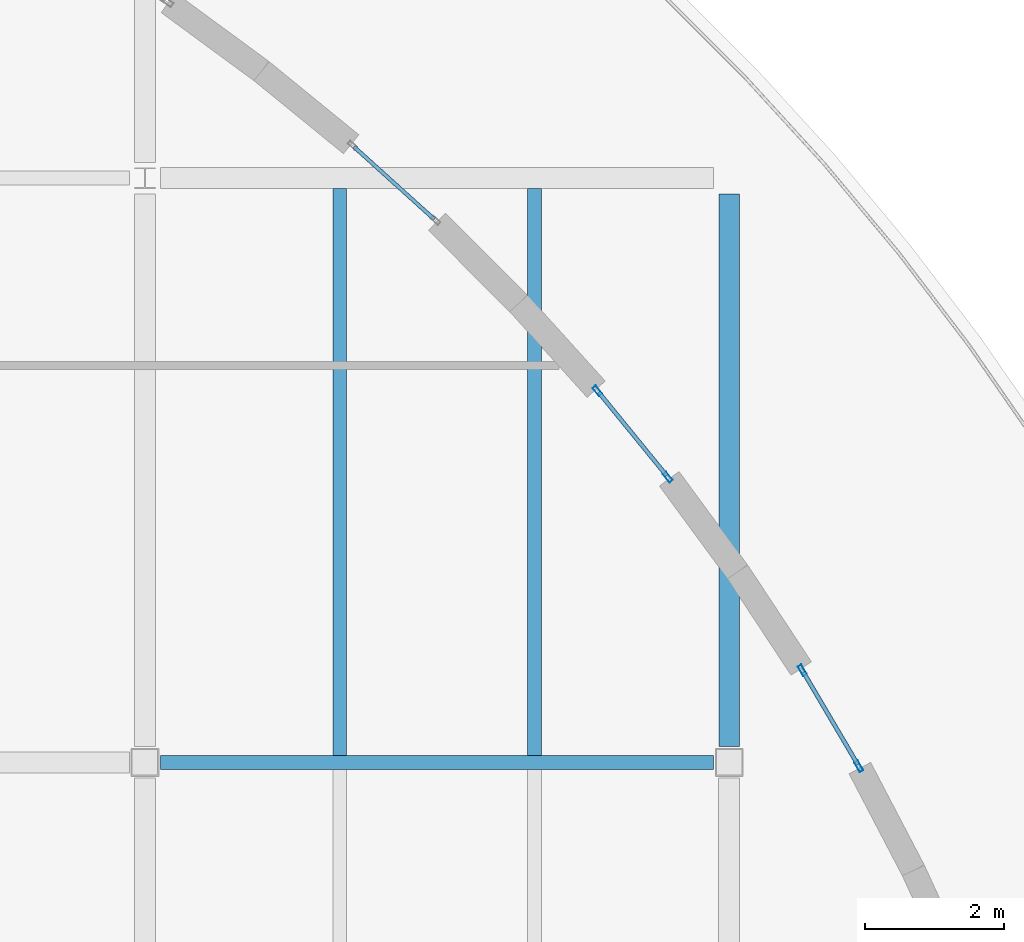
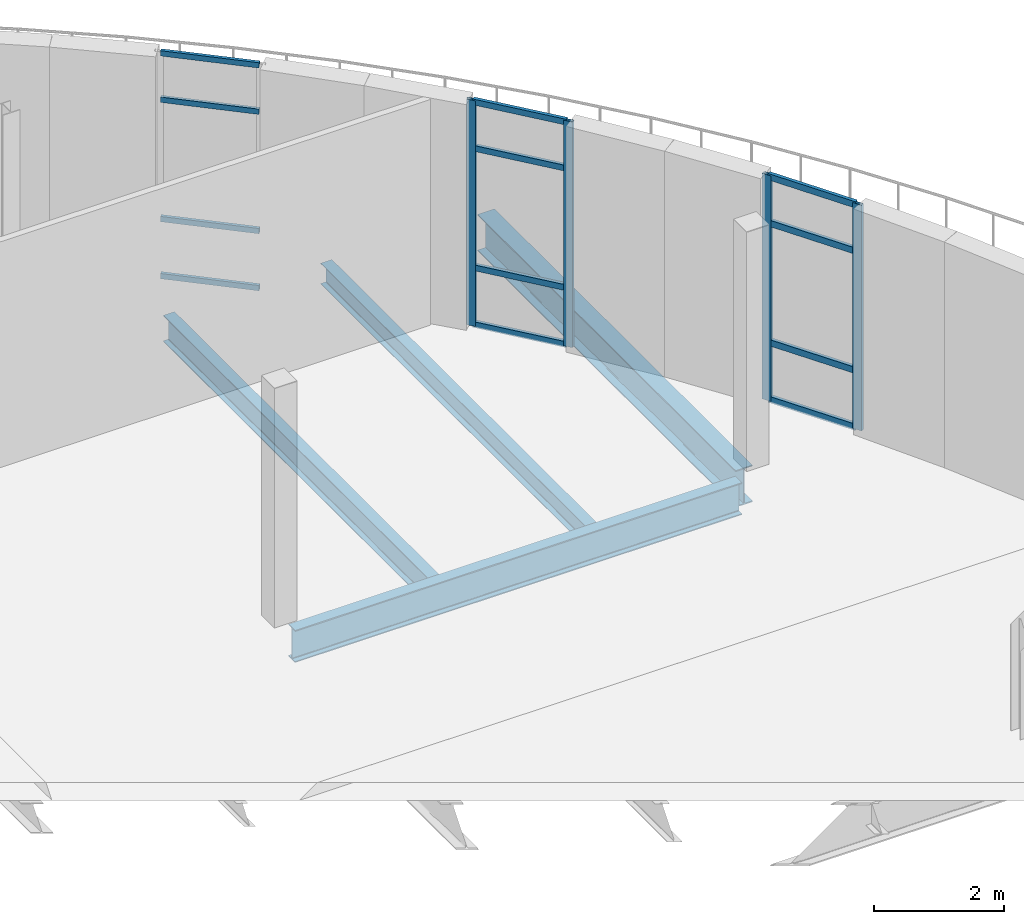
# One storey, part 16 of 40: 16 members, 4 beams, 3 elements without a shape of their own.
"""IFC4 building model written with IfcOpenShell, lengths in metres."""

from ifc_helpers import new_model, si_unit, direction, frame, origin, origin_2d, place, context, subcontext, project, spatial, hollow_rectangle, i_section, extrude, material, layer, layer_set, material_profile, profile_set, type_object, element, aggregate, save


model = new_model("IFC4")

# Units and contexts
model_context = context("Model", 3, precision=1e-05, world=origin(), true_north=direction((0.0, 1.0)))
body_context = subcontext(model_context, "Body", "Model", "MODEL_VIEW")
ifc_project = project(units=[si_unit("LENGTHUNIT", "METRE"), si_unit("AREAUNIT", "SQUARE_METRE"), si_unit("VOLUMEUNIT", "CUBIC_METRE"), si_unit("PLANEANGLEUNIT", "RADIAN"), si_unit("MASSUNIT", "GRAM", prefix="KILO"), si_unit("THERMODYNAMICTEMPERATUREUNIT", "KELVIN")], contexts=[model_context])

# Site, building, storey
site_placement = place(None, origin())
site = spatial("IfcSite", under=ifc_project, at=site_placement, CompositionType="ELEMENT")
building_placement = place(site_placement, origin())
building = spatial("IfcBuilding", under=site, at=building_placement, Name="Lustrewick Department Store", CompositionType="ELEMENT")
storey_placement = place(building_placement, frame((0.0, 0.0, 31.800048828125)))
storey = spatial("IfcBuildingStorey", under=building, at=storey_placement, Name="L07", CompositionType="ELEMENT", Elevation=31.800048828125)

# Beams
ifc_material_1 = material(Name="Structural steel Q355B", Category="steel")
ifc_material_profile_1 = material_profile(ifc_material_1, i_section(OverallWidth=0.198974609375, OverallDepth=0.49609375, WebThickness=0.009033203125, FlangeThickness=0.013916015625, FilletRadius=0.01611328125, at=origin_2d()), Name="HN 496x199x9x14")
ifc_profile_set_1 = profile_set([ifc_material_profile_1], Name="Structural steel Q355B")
beam_type_1 = type_object("IfcBeamType", Name="B02", PredefinedType="JOIST", material=ifc_profile_set_1)
beam_1_placement = place(storey_placement, frame((137.199951171875, 75.700439453125, -0.5029296875), z_axis=(0.0, 1.0, 0.0), x_axis=(-1.0, 0.0, 0.0)))
element("IfcBeam", 1, at=beam_1_placement, inside=storey, type_object=beam_type_1, Name="L07 V4 Secondary Joist B02", PredefinedType="JOIST", context=body_context, shape_type="SweptSolid", body=[
    extrude(i_section(OverallWidth=0.198974609375, OverallDepth=0.49609375, WebThickness=0.009033203125, FlangeThickness=0.013916015625, FilletRadius=0.01611328125, at=origin_2d()), origin(), (0.0, 0.0, 1.0), 8.148681640625),
])
ifc_material_profile_2 = material_profile(ifc_material_1, i_section(OverallWidth=0.198974609375, OverallDepth=0.39599609375, WebThickness=0.007080078125, FlangeThickness=0.010986328125, FilletRadius=0.013916015625, at=origin_2d()), Name="HN 396x199x7x11")
ifc_profile_set_2 = profile_set([ifc_material_profile_2], Name="Structural steel Q355B")
beam_type_2 = type_object("IfcBeamType", Name="B06", PredefinedType="JOIST", material=ifc_profile_set_2)
beam_2_placement = place(storey_placement, frame((140.0, 75.700439453125, -0.453125), z_axis=(0.0, 1.0, 0.0), x_axis=(-1.0, 0.0, 0.0)))
element("IfcBeam", 2, at=beam_2_placement, inside=storey, type_object=beam_type_2, Name="L07 V4 Secondary Joist B06", PredefinedType="JOIST", context=body_context, shape_type="SweptSolid", body=[
    extrude(i_section(OverallWidth=0.198974609375, OverallDepth=0.39599609375, WebThickness=0.007080078125, FlangeThickness=0.010986328125, FilletRadius=0.013916015625, at=origin_2d()), origin(), (0.0, 0.0, 1.0), 8.148681640625),
])

# Curtain wall, members
ifc_material_2 = material(Name="Thermally broken aluminium 6063-T5", Category="aluminium")
ifc_layer_1 = layer(ifc_material_2, 0.159912109375, Name="Thermally broken aluminium 6063-T5")
ifc_layer_set_1 = layer_set([ifc_layer_1], Name="Thermally broken aluminium 6063-T5")
curtain_wall_type_1 = type_object("IfcCurtainWallType", Name="CW13", PredefinedType="NOTDEFINED", material=ifc_layer_set_1)
curtain_wall_1_placement = place(storey_placement, origin())
curtain_wall_1 = element("IfcCurtainWall", 3, at=curtain_wall_1_placement, inside=storey, type_object=curtain_wall_type_1, Name="L07 V4 Curtain Wall CW13", PredefinedType="NOTDEFINED")
ifc_material_profile_3 = material_profile(ifc_material_2, hollow_rectangle(XDim=0.06005859375, YDim=0.159912109375, WallThickness=0.00390625, at=origin_2d()), Name="ALU-M 60x160x4")
ifc_profile_set_3 = profile_set([ifc_material_profile_3], Name="Thermally broken aluminium 6063-T5")
member_type_1 = type_object("IfcMemberType", Name="CW13-M1", PredefinedType="MULLION", material=ifc_profile_set_3)
member_1_placement = place(storey_placement, frame((144.663330078125, 75.543701171875, 0.0), z_axis=(0.0, 0.0, 1.0), x_axis=(-0.8617531739, -0.507327771045, 0.0)))
member_1 = element("IfcMember", 4, at=member_1_placement, type_object=member_type_1, Name="CW13 mullion 1", PredefinedType="MULLION", context=body_context, shape_type="SweptSolid", body=[
    extrude(hollow_rectangle(XDim=0.06005859375, YDim=0.159912109375, WallThickness=0.00390625, at=origin_2d()), origin(), (0.0, 0.0, 1.0), 4.244873046875),
])
member_2_placement = place(storey_placement, frame((143.850830078125, 76.924072265625, 0.0), z_axis=(0.0, 0.0, 1.0), x_axis=(-0.8617531739, -0.507327771045, 0.0)))
member_2 = element("IfcMember", 5, at=member_2_placement, type_object=member_type_1, Name="CW13 mullion 2", PredefinedType="MULLION", context=body_context, shape_type="SweptSolid", body=[
    extrude(hollow_rectangle(XDim=0.06005859375, YDim=0.159912109375, WallThickness=0.00390625, at=origin_2d()), origin(), (0.0, 0.0, 1.0), 4.244873046875),
])
ifc_material_profile_4 = material_profile(ifc_material_2, hollow_rectangle(XDim=0.06005859375, YDim=0.1201171875, WallThickness=0.00341796875, at=origin_2d()), Name="ALU-T 60x120x3.5")
ifc_profile_set_4 = profile_set([ifc_material_profile_4], Name="Thermally broken aluminium 6063-T5")
member_type_2 = type_object("IfcMemberType", Name="CW13-T1", PredefinedType="USERDEFINED", material=ifc_profile_set_4)
member_3_placement = place(storey_placement, frame((144.648193359375, 75.569580078125, 0.030029296875), z_axis=(-0.507352256803, 0.861738758277, 0.0), x_axis=(-0.861738758277, -0.507352256803, 0.0)))
member_3 = element("IfcMember", 6, at=member_3_placement, type_object=member_type_2, Name="CW13 transom 1.1", ObjectType="TRANSOM", PredefinedType="USERDEFINED", context=body_context, shape_type="SweptSolid", body=[
    extrude(hollow_rectangle(XDim=0.06005859375, YDim=0.1201171875, WallThickness=0.00341796875, at=origin_2d()), origin(), (0.0, 0.0, 1.0), 1.541748046875),
])
member_4_placement = place(storey_placement, frame((144.648193359375, 75.569580078125, 1.099853515625), z_axis=(-0.507352256803, 0.861738758277, 0.0), x_axis=(-0.861738758277, -0.507352256803, 0.0)))
member_4 = element("IfcMember", 7, at=member_4_placement, type_object=member_type_2, Name="CW13 transom 1.2", ObjectType="TRANSOM", PredefinedType="USERDEFINED", context=body_context, shape_type="SweptSolid", body=[
    extrude(hollow_rectangle(XDim=0.06005859375, YDim=0.1201171875, WallThickness=0.00341796875, at=origin_2d()), origin(), (0.0, 0.0, 1.0), 1.541748046875),
])
member_5_placement = place(storey_placement, frame((144.648193359375, 75.569580078125, 3.344970703125), z_axis=(-0.507352256803, 0.861738758277, 0.0), x_axis=(-0.861738758277, -0.507352256803, 0.0)))
member_5 = element("IfcMember", 8, at=member_5_placement, type_object=member_type_2, Name="CW13 transom 1.3", ObjectType="TRANSOM", PredefinedType="USERDEFINED", context=body_context, shape_type="SweptSolid", body=[
    extrude(hollow_rectangle(XDim=0.06005859375, YDim=0.1201171875, WallThickness=0.00341796875, at=origin_2d()), origin(), (0.0, 0.0, 1.0), 1.541748046875),
])
member_6_placement = place(storey_placement, frame((144.648193359375, 75.569580078125, 4.21484375), z_axis=(-0.507352256803, 0.861738758277, 0.0), x_axis=(-0.861738758277, -0.507352256803, 0.0)))
member_6 = element("IfcMember", 9, at=member_6_placement, type_object=member_type_2, Name="CW13 transom 1.4", ObjectType="TRANSOM", PredefinedType="USERDEFINED", context=body_context, shape_type="SweptSolid", body=[
    extrude(hollow_rectangle(XDim=0.06005859375, YDim=0.1201171875, WallThickness=0.00341796875, at=origin_2d()), origin(), (0.0, 0.0, 1.0), 1.541748046875),
])
aggregate(curtain_wall_1, [member_1, member_2, member_3, member_4, member_5, member_6])

ifc_layer_2 = layer(ifc_material_2, 0.14990234375, Name="Thermally broken aluminium 6063-T5")
ifc_layer_set_2 = layer_set([ifc_layer_2], Name="Thermally broken aluminium 6063-T5")
curtain_wall_type_2 = type_object("IfcCurtainWallType", Name="CW14", PredefinedType="NOTDEFINED", material=ifc_layer_set_2)
curtain_wall_2_placement = place(storey_placement, origin())
curtain_wall_2 = element("IfcCurtainWall", 10, at=curtain_wall_2_placement, inside=storey, type_object=curtain_wall_type_2, Name="L07 V4 Curtain Wall CW14", PredefinedType="NOTDEFINED")
ifc_material_profile_5 = material_profile(ifc_material_2, hollow_rectangle(XDim=0.06005859375, YDim=0.14990234375, WallThickness=0.00341796875, at=origin_2d()), Name="ALU-M 60x150x3.5")
ifc_profile_set_5 = profile_set([ifc_material_profile_5], Name="Thermally broken aluminium 6063-T5")
member_type_3 = type_object("IfcMemberType", Name="CW14-M1", PredefinedType="MULLION", material=ifc_profile_set_5)
member_7_placement = place(storey_placement, frame((141.91845703125, 79.700439453125, 0.0), z_axis=(0.0, 0.0, 1.0), x_axis=(-0.775028663149, -0.631926080564, 0.0)))
member_7 = element("IfcMember", 11, at=member_7_placement, type_object=member_type_3, Name="CW14 mullion 1", PredefinedType="MULLION", context=body_context, shape_type="SweptSolid", body=[
    extrude(hollow_rectangle(XDim=0.06005859375, YDim=0.14990234375, WallThickness=0.00341796875, at=origin_2d()), origin(), (0.0, 0.0, 1.0), 4.244873046875),
])
member_8_placement = place(storey_placement, frame((140.90625, 80.941650390625, 0.0), z_axis=(0.0, 0.0, 1.0), x_axis=(-0.775028663149, -0.631926080564, 0.0)))
member_8 = element("IfcMember", 12, at=member_8_placement, type_object=member_type_3, Name="CW14 mullion 2", PredefinedType="MULLION", context=body_context, shape_type="SweptSolid", body=[
    extrude(hollow_rectangle(XDim=0.06005859375, YDim=0.14990234375, WallThickness=0.00341796875, at=origin_2d()), origin(), (0.0, 0.0, 1.0), 4.244873046875),
])
ifc_material_profile_6 = material_profile(ifc_material_2, hollow_rectangle(XDim=0.06005859375, YDim=0.110107421875, WallThickness=0.0029296875, at=origin_2d()), Name="ALU-T 60x110x3")
ifc_profile_set_6 = profile_set([ifc_material_profile_6], Name="Thermally broken aluminium 6063-T5")
member_type_4 = type_object("IfcMemberType", Name="CW14-T1", PredefinedType="USERDEFINED", material=ifc_profile_set_6)
member_9_placement = place(storey_placement, frame((141.8994140625, 79.7236328125, 0.030029296875), z_axis=(-0.631891482827, 0.775056871417, 0.0), x_axis=(-0.775056871417, -0.631891482827, 0.0)))
member_9 = element("IfcMember", 13, at=member_9_placement, type_object=member_type_4, Name="CW14 transom 1.1", ObjectType="TRANSOM", PredefinedType="USERDEFINED", context=body_context, shape_type="SweptSolid", body=[
    extrude(hollow_rectangle(XDim=0.06005859375, YDim=0.110107421875, WallThickness=0.0029296875, at=origin_2d()), origin(), (0.0, 0.0, 1.0), 1.54150390625),
])
member_10_placement = place(storey_placement, frame((141.8994140625, 79.7236328125, 1.099853515625), z_axis=(-0.631891482827, 0.775056871417, 0.0), x_axis=(-0.775056871417, -0.631891482827, 0.0)))
member_10 = element("IfcMember", 14, at=member_10_placement, type_object=member_type_4, Name="CW14 transom 1.2", ObjectType="TRANSOM", PredefinedType="USERDEFINED", context=body_context, shape_type="SweptSolid", body=[
    extrude(hollow_rectangle(XDim=0.06005859375, YDim=0.110107421875, WallThickness=0.0029296875, at=origin_2d()), origin(), (0.0, 0.0, 1.0), 1.54150390625),
])
member_11_placement = place(storey_placement, frame((141.8994140625, 79.7236328125, 3.344970703125), z_axis=(-0.631891482827, 0.775056871417, 0.0), x_axis=(-0.775056871417, -0.631891482827, 0.0)))
member_11 = element("IfcMember", 15, at=member_11_placement, type_object=member_type_4, Name="CW14 transom 1.3", ObjectType="TRANSOM", PredefinedType="USERDEFINED", context=body_context, shape_type="SweptSolid", body=[
    extrude(hollow_rectangle(XDim=0.06005859375, YDim=0.110107421875, WallThickness=0.0029296875, at=origin_2d()), origin(), (0.0, 0.0, 1.0), 1.54150390625),
])
member_12_placement = place(storey_placement, frame((141.8994140625, 79.7236328125, 4.21484375), z_axis=(-0.631891482827, 0.775056871417, 0.0), x_axis=(-0.775056871417, -0.631891482827, 0.0)))
member_12 = element("IfcMember", 16, at=member_12_placement, type_object=member_type_4, Name="CW14 transom 1.4", ObjectType="TRANSOM", PredefinedType="USERDEFINED", context=body_context, shape_type="SweptSolid", body=[
    extrude(hollow_rectangle(XDim=0.06005859375, YDim=0.110107421875, WallThickness=0.0029296875, at=origin_2d()), origin(), (0.0, 0.0, 1.0), 1.54150390625),
])
aggregate(curtain_wall_2, [member_7, member_8, member_9, member_10, member_11, member_12])

ifc_layer_3 = layer(ifc_material_2, 0.139892578125, Name="Thermally broken aluminium 6063-T5")
ifc_layer_set_3 = layer_set([ifc_layer_3], Name="Thermally broken aluminium 6063-T5")
curtain_wall_type_3 = type_object("IfcCurtainWallType", Name="CW15", PredefinedType="NOTDEFINED", material=ifc_layer_set_3)
curtain_wall_3_placement = place(storey_placement, origin())
curtain_wall_3 = element("IfcCurtainWall", 17, at=curtain_wall_3_placement, inside=storey, type_object=curtain_wall_type_3, Name="L07 V4 Curtain Wall CW15", PredefinedType="NOTDEFINED")
ifc_material_profile_7 = material_profile(ifc_material_2, hollow_rectangle(XDim=0.054931640625, YDim=0.10009765625, WallThickness=0.0029296875, at=origin_2d()), Name="ALU-T 55x100x3")
ifc_profile_set_7 = profile_set([ifc_material_profile_7], Name="Thermally broken aluminium 6063-T5")
member_type_5 = type_object("IfcMemberType", Name="CW15-T1", PredefinedType="USERDEFINED", material=ifc_profile_set_7)
member_13_placement = place(storey_placement, frame((138.557373046875, 83.41015625, 0.02734375), z_axis=(-0.742064777279, 0.670328178076, 0.0), x_axis=(-0.670328178076, -0.742064777279, 0.0)))
member_13 = element("IfcMember", 18, at=member_13_placement, type_object=member_type_5, Name="CW15 transom 1.1", ObjectType="TRANSOM", PredefinedType="USERDEFINED", context=body_context, shape_type="SweptSolid", body=[
    extrude(hollow_rectangle(XDim=0.054931640625, YDim=0.10009765625, WallThickness=0.0029296875, at=origin_2d()), origin(), (0.0, 0.0, 1.0), 1.552001953125),
])
member_14_placement = place(storey_placement, frame((138.557373046875, 83.41015625, 1.099853515625), z_axis=(-0.742064777279, 0.670328178076, 0.0), x_axis=(-0.670328178076, -0.742064777279, 0.0)))
member_14 = element("IfcMember", 19, at=member_14_placement, type_object=member_type_5, Name="CW15 transom 1.2", ObjectType="TRANSOM", PredefinedType="USERDEFINED", context=body_context, shape_type="SweptSolid", body=[
    extrude(hollow_rectangle(XDim=0.054931640625, YDim=0.10009765625, WallThickness=0.0029296875, at=origin_2d()), origin(), (0.0, 0.0, 1.0), 1.552001953125),
])
member_15_placement = place(storey_placement, frame((138.557373046875, 83.41015625, 3.344970703125), z_axis=(-0.742064777279, 0.670328178076, 0.0), x_axis=(-0.670328178076, -0.742064777279, 0.0)))
member_15 = element("IfcMember", 20, at=member_15_placement, type_object=member_type_5, Name="CW15 transom 1.3", ObjectType="TRANSOM", PredefinedType="USERDEFINED", context=body_context, shape_type="SweptSolid", body=[
    extrude(hollow_rectangle(XDim=0.054931640625, YDim=0.10009765625, WallThickness=0.0029296875, at=origin_2d()), origin(), (0.0, 0.0, 1.0), 1.552001953125),
])
member_16_placement = place(storey_placement, frame((138.557373046875, 83.41015625, 4.217529296875), z_axis=(-0.742064777279, 0.670328178076, 0.0), x_axis=(-0.670328178076, -0.742064777279, 0.0)))
member_16 = element("IfcMember", 21, at=member_16_placement, type_object=member_type_5, Name="CW15 transom 1.4", ObjectType="TRANSOM", PredefinedType="USERDEFINED", context=body_context, shape_type="SweptSolid", body=[
    extrude(hollow_rectangle(XDim=0.054931640625, YDim=0.10009765625, WallThickness=0.0029296875, at=origin_2d()), origin(), (0.0, 0.0, 1.0), 1.552001953125),
])
aggregate(curtain_wall_3, [member_13, member_14, member_15, member_16])

# Beams
ifc_material_profile_8 = material_profile(ifc_material_1, i_section(OverallWidth=0.300048828125, OverallDepth=0.69189453125, WebThickness=0.012939453125, FlangeThickness=0.02001953125, FilletRadius=0.02001953125, at=origin_2d()), Name="HN 692x300x13x20")
ifc_profile_set_8 = profile_set([ifc_material_profile_8], Name="Structural steel Q355B")
beam_type_3 = type_object("IfcBeamType", Name="G09", PredefinedType="BEAM", material=ifc_profile_set_8)
beam_3_placement = place(storey_placement, frame((142.800048828125, 75.824951171875, -0.60107421875), z_axis=(0.0, 1.0, 0.0), x_axis=(-1.0, 0.0, 0.0)))
element("IfcBeam", 22, at=beam_3_placement, inside=storey, type_object=beam_type_3, Name="L07 V4 Girder G09", PredefinedType="BEAM", context=body_context, shape_type="SweptSolid", body=[
    extrude(i_section(OverallWidth=0.300048828125, OverallDepth=0.69189453125, WebThickness=0.012939453125, FlangeThickness=0.02001953125, FilletRadius=0.02001953125, at=origin_2d()), origin(), (0.0, 0.0, 1.0), 7.949951171875),
])
ifc_material_profile_9 = material_profile(ifc_material_1, i_section(OverallWidth=0.200927734375, OverallDepth=0.60595703125, WebThickness=0.011962890625, FlangeThickness=0.02001953125, FilletRadius=0.01806640625, at=origin_2d()), Name="HN 606x201x12x20")
ifc_profile_set_9 = profile_set([ifc_material_profile_9], Name="Structural steel Q355B")
beam_type_4 = type_object("IfcBeamType", Name="G13", PredefinedType="BEAM", material=ifc_profile_set_9)
beam_4_placement = place(storey_placement, frame((134.625, 75.60009765625, -0.55810546875), z_axis=(1.0, 0.0, 0.0), x_axis=(0.0, 1.0, 0.0)))
element("IfcBeam", 23, at=beam_4_placement, inside=storey, type_object=beam_type_4, Name="L07 V4 Girder G13", PredefinedType="BEAM", context=body_context, shape_type="SweptSolid", body=[
    extrude(i_section(OverallWidth=0.200927734375, OverallDepth=0.60595703125, WebThickness=0.011962890625, FlangeThickness=0.02001953125, FilletRadius=0.01806640625, at=origin_2d()), origin(), (0.0, 0.0, 1.0), 7.949951171875),
])

save(model, "model.ifc")
